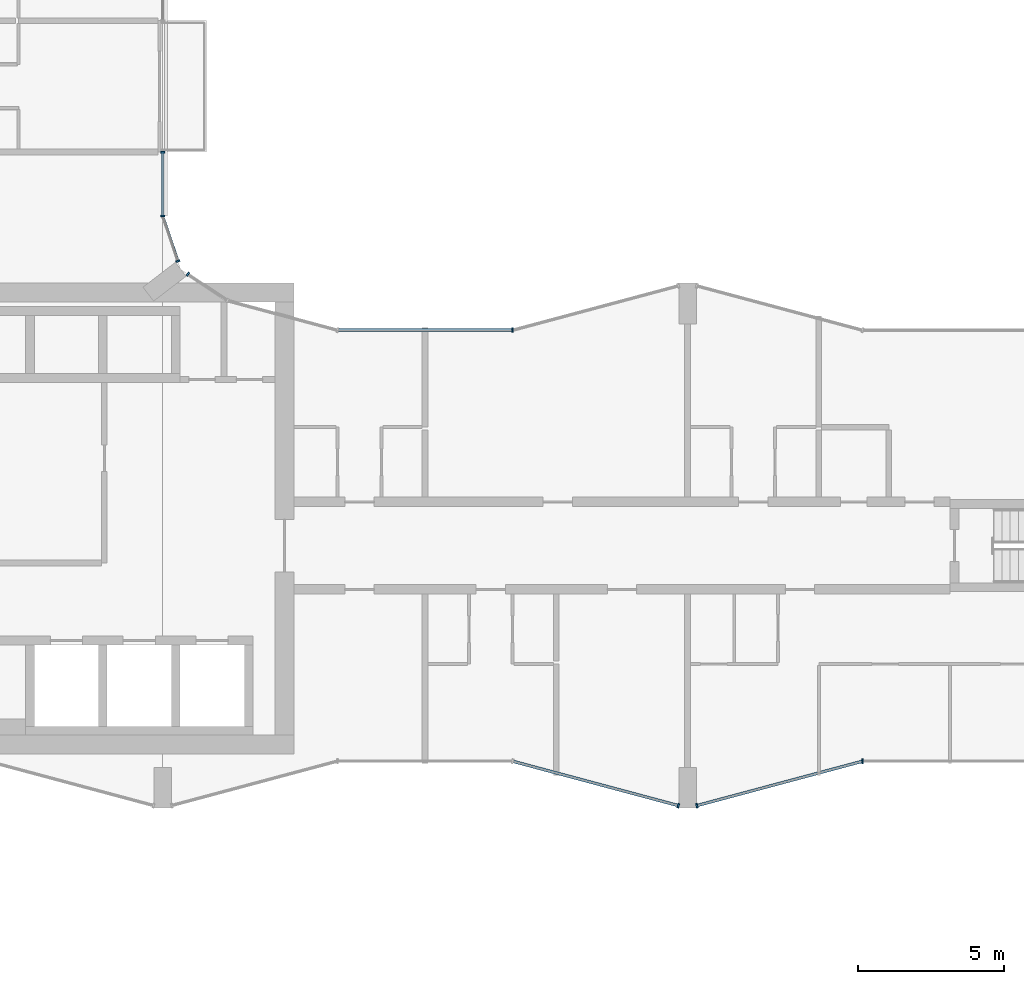
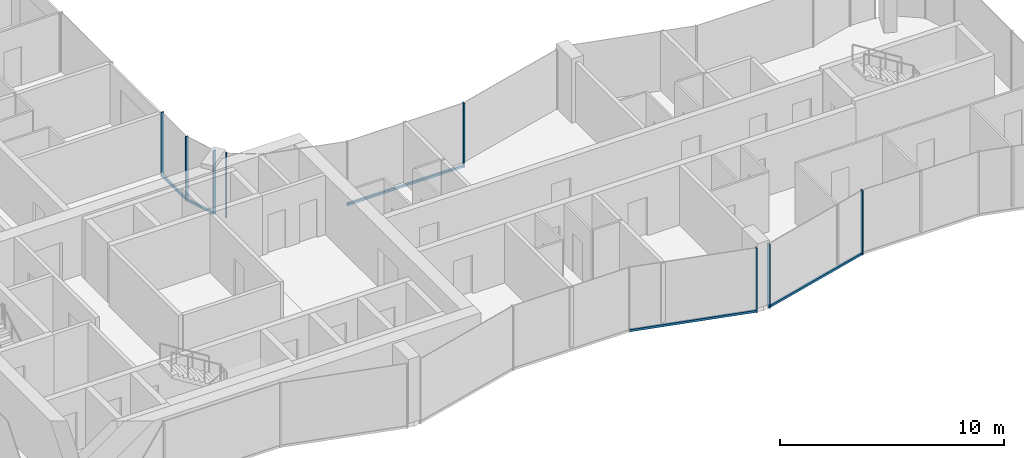
# One storey, part 4 of 22: 13 members, 7 elements without a shape of their own.
"""IFC4 building model written with IfcOpenShell, lengths in metres."""

from ifc_helpers import new_model, si_unit, direction, frame, origin, origin_2d, place, context, subcontext, project, spatial, rectangle, extrude, material, layer, layer_set, material_profile, profile_set, type_object, element, aggregate, save


model = new_model("IFC4")

# Units and contexts
model_context = context("Model", 3, precision=1e-05, world=origin(), true_north=direction((0.0, 1.0)))
body_context = subcontext(model_context, "Body", "Model", "MODEL_VIEW")
ifc_project = project(units=[si_unit("LENGTHUNIT", "METRE"), si_unit("AREAUNIT", "SQUARE_METRE"), si_unit("VOLUMEUNIT", "CUBIC_METRE"), si_unit("PLANEANGLEUNIT", "RADIAN"), si_unit("MASSUNIT", "GRAM", prefix="KILO")], contexts=[model_context])

# Site, building, storey
site_placement = place(None, origin())
site = spatial("IfcSite", under=ifc_project, at=site_placement, CompositionType="ELEMENT")
building_placement = place(site_placement, origin())
building = spatial("IfcBuilding", under=site, at=building_placement, Name="Plateau Cross Towers", CompositionType="ELEMENT")
storey_placement = place(building_placement, frame((0.0, 0.0, 116.800048828125)))
storey = spatial("IfcBuildingStorey", under=building, at=storey_placement, Name="L30", CompositionType="ELEMENT", Elevation=116.800048828125)

# Curtain wall, member
ifc_material_1 = material(Name="Dark low-iron glass", Category="glass")
ifc_layer_1 = layer(ifc_material_1, 0.239990234375)
ifc_layer_set_1 = layer_set([ifc_layer_1], Name="Dark low-iron glass")
curtain_wall_type_1 = type_object("IfcCurtainWallType", Name="Curtain wall flush unitised CW-B", PredefinedType="NOTDEFINED", material=ifc_layer_set_1)
curtain_wall_1_placement = place(storey_placement, origin())
curtain_wall_1 = element("IfcCurtainWall", 1, at=curtain_wall_1_placement, inside=storey, type_object=curtain_wall_type_1, Name="ENV/A/L30/A202_174", PredefinedType="NOTDEFINED")
ifc_material_2 = material(Name="Black anodised aluminium", Category="aluminium")
ifc_material_profile_1 = material_profile(ifc_material_2, rectangle(XDim=0.06005859375, YDim=0.139892578125, at=origin_2d()), Name="MULLION 60x140")
ifc_profile_set_1 = profile_set([ifc_material_profile_1], Name="Black anodised aluminium")
member_type_1 = type_object("IfcMemberType", Name="Mullion 60x140 flush unitised", PredefinedType="MULLION", material=ifc_profile_set_1)
member_1_placement = place(storey_placement, frame((18.86962890625, 18.30908203125, -0.25), z_axis=(0.0, 0.0, 1.0), x_axis=(-0.831521253329, 0.555492938984, 0.0)))
member_1 = element("IfcMember", 2, at=member_1_placement, type_object=member_type_1, Name="CW-B mullion 2", PredefinedType="MULLION", context=body_context, shape_type="SweptSolid", body=[
    extrude(rectangle(XDim=0.06005859375, YDim=0.139892578125, at=origin_2d()), origin(), (0.0, 0.0, 1.0), 3.5),
])
aggregate(curtain_wall_1, [member_1])

curtain_wall_2_placement = place(storey_placement, origin())
curtain_wall_2 = element("IfcCurtainWall", 3, at=curtain_wall_2_placement, inside=storey, type_object=curtain_wall_type_1, Name="ENV/A/L30/A185_188", PredefinedType="NOTDEFINED")
member_2_placement = place(storey_placement, frame((18.523681640625, 18.760009765625, -0.25), z_axis=(0.0, 0.0, 1.0), x_axis=(-0.321469161574, 0.94692004845, 0.0)))
member_2 = element("IfcMember", 4, at=member_2_placement, type_object=member_type_1, Name="CW-B mullion 1", PredefinedType="MULLION", context=body_context, shape_type="SweptSolid", body=[
    extrude(rectangle(XDim=0.06005859375, YDim=0.139892578125, at=origin_2d()), origin(), (0.0, 0.0, 1.0), 3.5),
])

# Curtain wall, members
curtain_wall_3_placement = place(storey_placement, origin())
curtain_wall_3 = element("IfcCurtainWall", 5, at=curtain_wall_3_placement, inside=storey, type_object=curtain_wall_type_1, Name="ENV/A/L30/A180_203", PredefinedType="NOTDEFINED")
member_3_placement = place(storey_placement, frame((18.0, 20.30224609375, -0.25), z_axis=(0.0, 0.0, 1.0), x_axis=(0.0, 1.0, 0.0)))
member_3 = element("IfcMember", 6, at=member_3_placement, type_object=member_type_1, Name="CW-B mullion 1", PredefinedType="MULLION", context=body_context, shape_type="SweptSolid", body=[
    extrude(rectangle(XDim=0.06005859375, YDim=0.139892578125, at=origin_2d()), origin(), (0.0, 0.0, 1.0), 3.5),
])
member_4_placement = place(storey_placement, frame((18.0, 22.489990234375, -0.25), z_axis=(0.0, 0.0, 1.0), x_axis=(0.0, 1.0, 0.0)))
member_4 = element("IfcMember", 7, at=member_4_placement, type_object=member_type_1, Name="CW-B mullion 2", PredefinedType="MULLION", context=body_context, shape_type="SweptSolid", body=[
    extrude(rectangle(XDim=0.06005859375, YDim=0.139892578125, at=origin_2d()), origin(), (0.0, 0.0, 1.0), 3.5),
])

# Curtain wall, member
ifc_layer_2 = layer(ifc_material_1, 0.260009765625)
ifc_layer_set_2 = layer_set([ifc_layer_2], Name="Dark low-iron glass")
curtain_wall_type_2 = type_object("IfcCurtainWallType", Name="Curtain wall fluted unitised CW-A", PredefinedType="NOTDEFINED", material=ifc_layer_set_2)
curtain_wall_4_placement = place(storey_placement, origin())
curtain_wall_4 = element("IfcCurtainWall", 8, at=curtain_wall_4_placement, inside=storey, type_object=curtain_wall_type_2, Name="ENV/A/L30/A300_16", PredefinedType="NOTDEFINED")
ifc_material_profile_2 = material_profile(ifc_material_2, rectangle(XDim=0.06005859375, YDim=0.159912109375, at=origin_2d()), Name="MULLION 60x160")
ifc_profile_set_2 = profile_set([ifc_material_profile_2], Name="Black anodised aluminium")
member_type_2 = type_object("IfcMemberType", Name="Mullion 60x160 fluted unitised", PredefinedType="MULLION", material=ifc_profile_set_2)
member_5_placement = place(storey_placement, frame((35.68212890625, 0.085205078125, -0.25), z_axis=(0.0, 0.0, 1.0), x_axis=(0.965957983404, -0.258699003279, 0.0)))
member_5 = element("IfcMember", 9, at=member_5_placement, type_object=member_type_2, Name="CW-A mullion 2", PredefinedType="MULLION", context=body_context, shape_type="SweptSolid", body=[
    extrude(rectangle(XDim=0.06005859375, YDim=0.159912109375, at=origin_2d()), origin(), (0.0, 0.0, 1.0), 3.5),
])

curtain_wall_5_placement = place(storey_placement, origin())
curtain_wall_5 = element("IfcCurtainWall", 10, at=curtain_wall_5_placement, inside=storey, type_object=curtain_wall_type_2, Name="ENV/A/L30/A363_1", PredefinedType="NOTDEFINED")
member_6_placement = place(storey_placement, frame((36.31787109375, 0.085205078125, -0.25), z_axis=(0.0, 0.0, 1.0), x_axis=(0.965957983404, 0.258699003279, 0.0)))
member_6 = element("IfcMember", 11, at=member_6_placement, type_object=member_type_2, Name="CW-A mullion 1", PredefinedType="MULLION", context=body_context, shape_type="SweptSolid", body=[
    extrude(rectangle(XDim=0.06005859375, YDim=0.159912109375, at=origin_2d()), origin(), (0.0, 0.0, 1.0), 3.5),
])

curtain_wall_6_placement = place(storey_placement, origin())
curtain_wall_6 = element("IfcCurtainWall", 12, at=curtain_wall_6_placement, inside=storey, type_object=curtain_wall_type_2, Name="ENV/A/L30/A420_16", PredefinedType="NOTDEFINED")
member_7_placement = place(storey_placement, frame((42.0, 1.60693359375, -0.25), z_axis=(0.0, 0.0, 1.0), x_axis=(1.0, 0.0, 0.0)))
member_7 = element("IfcMember", 13, at=member_7_placement, type_object=member_type_2, Name="CW-A mullion 1", PredefinedType="MULLION", context=body_context, shape_type="SweptSolid", body=[
    extrude(rectangle(XDim=0.06005859375, YDim=0.159912109375, at=origin_2d()), origin(), (0.0, 0.0, 1.0), 3.5),
])
aggregate(curtain_wall_6, [member_7])

curtain_wall_7_placement = place(storey_placement, origin())
curtain_wall_7 = element("IfcCurtainWall", 14, at=curtain_wall_7_placement, inside=storey, type_object=curtain_wall_type_2, Name="ENV/A/L30/A300_164", PredefinedType="NOTDEFINED")
member_8_placement = place(storey_placement, frame((30.0, 16.39306640625, -0.25), z_axis=(0.0, 0.0, 1.0), x_axis=(-1.0, 0.0, 0.0)))
member_8 = element("IfcMember", 15, at=member_8_placement, type_object=member_type_2, Name="CW-A mullion 1", PredefinedType="MULLION", context=body_context, shape_type="SweptSolid", body=[
    extrude(rectangle(XDim=0.06005859375, YDim=0.159912109375, at=origin_2d()), origin(), (0.0, 0.0, 1.0), 3.5),
])

# Member
ifc_material_profile_3 = material_profile(ifc_material_2, rectangle(XDim=0.10009765625, YDim=0.1201171875, at=origin_2d()), Name="TRANSOM 100x120")
ifc_profile_set_3 = profile_set([ifc_material_profile_3], Name="Black anodised aluminium")
member_type_3 = type_object("IfcMemberType", Name="Transom 100x120 flush unitised", PredefinedType="USERDEFINED", material=ifc_profile_set_3)
member_9_placement = place(storey_placement, frame((18.523681640625, 18.760009765625, -0.18994140625), z_axis=(-0.321529174838, 0.946899672472, 0.0), x_axis=(-0.946899672472, -0.321529174838, 0.0)))
member_9 = element("IfcMember", 16, at=member_9_placement, type_object=member_type_3, Name="CW-B transom", ObjectType="TRANSOM", PredefinedType="USERDEFINED", context=body_context, shape_type="SweptSolid", body=[
    extrude(rectangle(XDim=0.10009765625, YDim=0.1201171875, at=origin_2d()), origin(), (0.0, 0.0, 1.0), 1.628662109375),
])

aggregate(curtain_wall_2, [member_2, member_9])

member_10_placement = place(storey_placement, frame((18.0, 20.30224609375, -0.18994140625), z_axis=(0.0, 1.0, 0.0), x_axis=(-1.0, 0.0, 0.0)))
member_10 = element("IfcMember", 17, at=member_10_placement, type_object=member_type_3, Name="CW-B transom", ObjectType="TRANSOM", PredefinedType="USERDEFINED", context=body_context, shape_type="SweptSolid", body=[
    extrude(rectangle(XDim=0.10009765625, YDim=0.1201171875, at=origin_2d()), origin(), (0.0, 0.0, 1.0), 2.187744140625),
])

aggregate(curtain_wall_3, [member_3, member_4, member_10])

ifc_material_profile_4 = material_profile(ifc_material_2, rectangle(XDim=0.10009765625, YDim=0.1201171875, at=origin_2d()), Name="TRANSOM 100x120")
ifc_profile_set_4 = profile_set([ifc_material_profile_4], Name="Black anodised aluminium")
member_type_4 = type_object("IfcMemberType", Name="Transom 100x120 fluted unitised", PredefinedType="USERDEFINED", material=ifc_profile_set_4)
member_11_placement = place(storey_placement, frame((30.0, 1.60693359375, -0.18994140625), z_axis=(0.965959534794, -0.258693210465, 0.0), x_axis=(0.258693210465, 0.965959534794, 0.0)))
member_11 = element("IfcMember", 18, at=member_11_placement, type_object=member_type_4, Name="CW-A transom", ObjectType="TRANSOM", PredefinedType="USERDEFINED", context=body_context, shape_type="SweptSolid", body=[
    extrude(rectangle(XDim=0.10009765625, YDim=0.1201171875, at=origin_2d()), origin(), (0.0, 0.0, 1.0), 5.88232421875),
])

aggregate(curtain_wall_4, [member_5, member_11])

member_12_placement = place(storey_placement, frame((36.31787109375, 0.085205078125, -0.18994140625), z_axis=(0.965959534794, 0.258693210465, 0.0), x_axis=(-0.258693210465, 0.965959534794, 0.0)))
member_12 = element("IfcMember", 19, at=member_12_placement, type_object=member_type_4, Name="CW-A transom", ObjectType="TRANSOM", PredefinedType="USERDEFINED", context=body_context, shape_type="SweptSolid", body=[
    extrude(rectangle(XDim=0.10009765625, YDim=0.1201171875, at=origin_2d()), origin(), (0.0, 0.0, 1.0), 5.88232421875),
])

aggregate(curtain_wall_5, [member_6, member_12])

member_13_placement = place(storey_placement, frame((30.0, 16.39306640625, -0.18994140625), z_axis=(-1.0, 0.0, 0.0), x_axis=(0.0, -1.0, 0.0)))
member_13 = element("IfcMember", 20, at=member_13_placement, type_object=member_type_4, Name="CW-A transom", ObjectType="TRANSOM", PredefinedType="USERDEFINED", context=body_context, shape_type="SweptSolid", body=[
    extrude(rectangle(XDim=0.10009765625, YDim=0.1201171875, at=origin_2d()), origin(), (0.0, 0.0, 1.0), 6.0),
])

aggregate(curtain_wall_7, [member_8, member_13])

save(model, "model.ifc")
